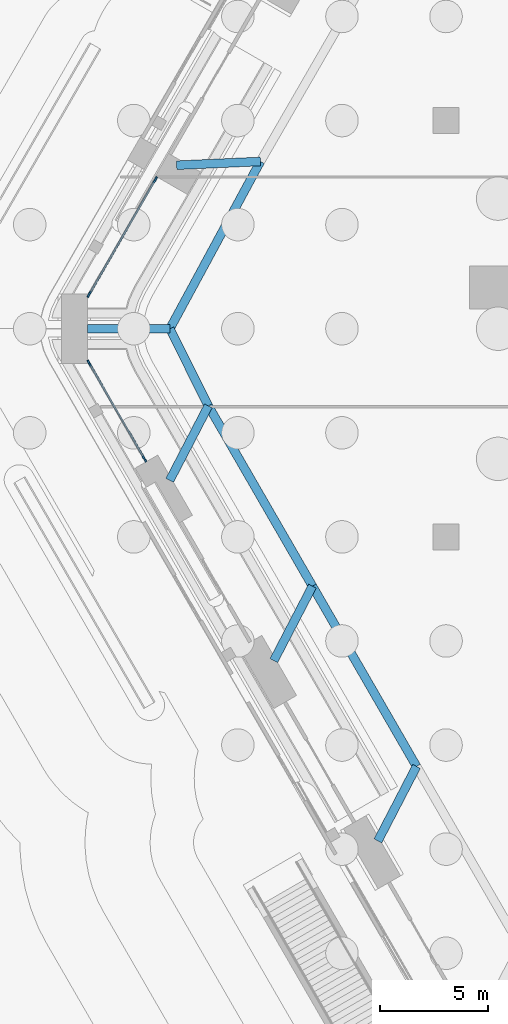
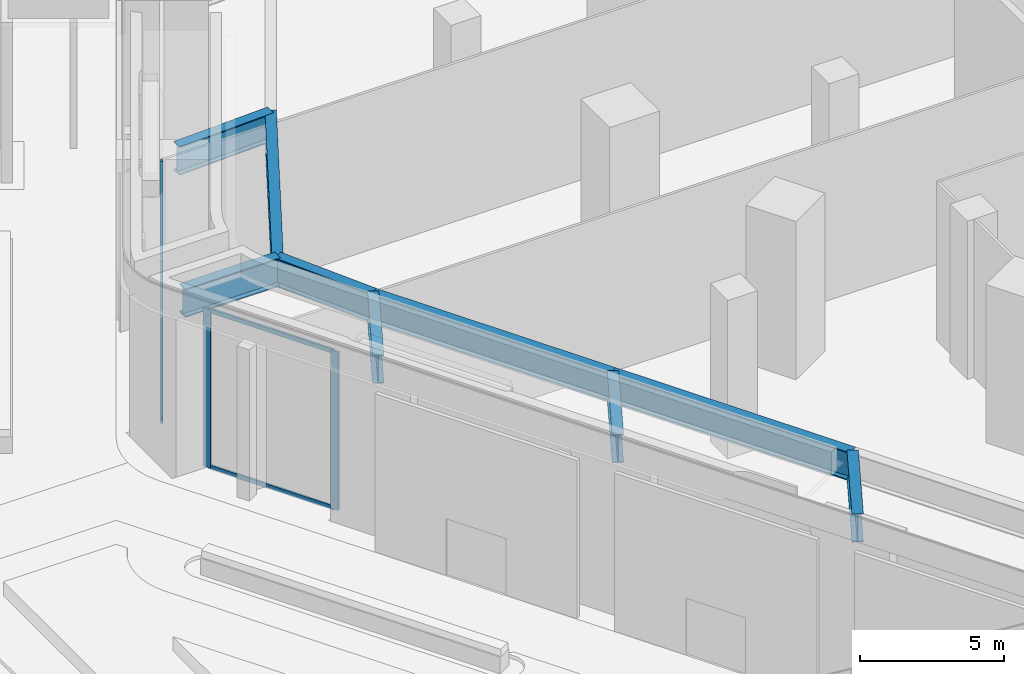
# One storey, part 4 of 68: 9 beams, 8 members, 2 elements without a shape of their own.
"""IFC4 building model written with IfcOpenShell, lengths in metres."""

from ifc_helpers import new_model, si_unit, direction, frame, origin, origin_2d, place, context, subcontext, project, spatial, rectangle, i_section, extrude, material, material_profile, profile_set, type_object, element, aggregate, save


model = new_model("IFC4")

# Units and contexts
model_context = context("Model", 3, precision=1e-05, world=origin(), true_north=direction((0.0, 1.0)))
body_context = subcontext(model_context, "Body", "Model", "MODEL_VIEW")
ifc_project = project(units=[si_unit("LENGTHUNIT", "METRE"), si_unit("AREAUNIT", "SQUARE_METRE"), si_unit("VOLUMEUNIT", "CUBIC_METRE"), si_unit("PLANEANGLEUNIT", "RADIAN"), si_unit("MASSUNIT", "GRAM", prefix="KILO")], contexts=[model_context])

# Site, building, storey
site_placement = place(None, origin())
site = spatial("IfcSite", under=ifc_project, at=site_placement, CompositionType="ELEMENT")
building_placement = place(site_placement, origin())
building = spatial("IfcBuilding", under=site, at=building_placement, Name="Kolab Exchange Tower", CompositionType="ELEMENT")
storey_placement = place(building_placement, origin())
storey = spatial("IfcBuildingStorey", under=building, at=storey_placement, Name="L00", CompositionType="ELEMENT", Elevation=0.0)

# Curtain wall, members
ifc_material_1 = material(Name="Aluminium EN AW-6063 T6", Category="aluminium")
curtain_wall_type = type_object("IfcCurtainWallType", Name="PODIUM STRUCTURAL GLAZING CURTAIN WALL", PredefinedType="NOTDEFINED", material=ifc_material_1)
curtain_wall_1_placement = place(storey_placement, origin())
curtain_wall_1 = element("IfcCurtainWall", 1, at=curtain_wall_1_placement, inside=storey, type_object=curtain_wall_type, Name="cw/L00/F5-2", PredefinedType="NOTDEFINED")
ifc_material_profile_1 = material_profile(ifc_material_1, rectangle(XDim=0.080078125, YDim=0.300048828125, at=origin_2d()), Name="RECT 80X300")
ifc_profile_set_1 = profile_set([ifc_material_profile_1], Name="Aluminium EN AW-6063 T6")
member_type_1 = type_object("IfcMemberType", Name="PODIUM STRUCTURAL GLAZING MULLION 80 X 300", PredefinedType="MULLION", material=ifc_profile_set_1)
member_1_placement = place(storey_placement, frame((-52.306640625, -6.00830078125, 0.0), z_axis=(0.0, 0.0, 1.0), x_axis=(-0.866025433568, -0.499999948413, 0.0)))
member_1 = element("IfcMember", 2, at=member_1_placement, type_object=member_type_1, Name="CW5 mullion 1", PredefinedType="MULLION", context=body_context, shape_type="SweptSolid", body=[
    extrude(rectangle(XDim=0.080078125, YDim=0.300048828125, at=origin_2d()), origin(), (0.0, 0.0, 1.0), 6.699951171875),
])
member_2_placement = place(storey_placement, frame((-54.86083984375, -1.584228515625, 0.0), z_axis=(0.0, 0.0, 1.0), x_axis=(-0.866025433568, -0.499999948413, 0.0)))
member_2 = element("IfcMember", 3, at=member_2_placement, type_object=member_type_1, Name="CW5 mullion 2", PredefinedType="MULLION", context=body_context, shape_type="SweptSolid", body=[
    extrude(rectangle(XDim=0.080078125, YDim=0.300048828125, at=origin_2d()), origin(), (0.0, 0.0, 1.0), 6.699951171875),
])

curtain_wall_2_placement = place(storey_placement, origin())
curtain_wall_2 = element("IfcCurtainWall", 4, at=curtain_wall_2_placement, inside=storey, type_object=curtain_wall_type, Name="cw/L00/F6-1", PredefinedType="NOTDEFINED")
member_3_placement = place(storey_placement, frame((-54.86083984375, 1.584228515625, 0.0), z_axis=(0.0, 0.0, 1.0), x_axis=(-0.866025452837, 0.499999915039, 0.0)))
member_3 = element("IfcMember", 5, at=member_3_placement, type_object=member_type_1, Name="CW5 mullion 1", PredefinedType="MULLION", context=body_context, shape_type="SweptSolid", body=[
    extrude(rectangle(XDim=0.080078125, YDim=0.300048828125, at=origin_2d()), origin(), (0.0, 0.0, 1.0), 6.699951171875),
])
member_4_placement = place(storey_placement, frame((-51.806640625, 6.874267578125, 0.0), z_axis=(0.0, 0.0, 1.0), x_axis=(-0.866025452837, 0.499999915039, 0.0)))
member_4 = element("IfcMember", 6, at=member_4_placement, type_object=member_type_1, Name="CW5 mullion 2", PredefinedType="MULLION", context=body_context, shape_type="SweptSolid", body=[
    extrude(rectangle(XDim=0.080078125, YDim=0.300048828125, at=origin_2d()), origin(), (0.0, 0.0, 1.0), 6.699951171875),
])

# Member
ifc_material_profile_2 = material_profile(ifc_material_1, rectangle(XDim=0.080078125, YDim=0.179931640625, at=origin_2d()), Name="RECT 80X180")
ifc_profile_set_2 = profile_set([ifc_material_profile_2], Name="Aluminium EN AW-6063 T6")
member_type_2 = type_object("IfcMemberType", Name="PODIUM STRUCTURAL GLAZING TRANSOM 80 X 180", PredefinedType="USERDEFINED", material=ifc_profile_set_2)
member_5_placement = place(storey_placement, frame((-52.32666015625, -5.9736328125, 0.0400390625), z_axis=(-0.49999283541, 0.866029540223, 0.0), x_axis=(-0.866029540223, -0.49999283541, 0.0)))
member_5 = element("IfcMember", 7, at=member_5_placement, type_object=member_type_2, Name="CW5 transom 1.1", ObjectType="TRANSOM", PredefinedType="USERDEFINED", context=body_context, shape_type="SweptSolid", body=[
    extrude(rectangle(XDim=0.080078125, YDim=0.179931640625, at=origin_2d()), origin(), (0.0, 0.0, 1.0), 5.0283203125),
])

member_6_placement = place(storey_placement, frame((-52.32666015625, -5.9736328125, 6.659912109375), z_axis=(-0.49999283541, 0.866029540223, 0.0), x_axis=(-0.866029540223, -0.49999283541, 0.0)))
member_6 = element("IfcMember", 8, at=member_6_placement, type_object=member_type_2, Name="CW5 transom 1.2", ObjectType="TRANSOM", PredefinedType="USERDEFINED", context=body_context, shape_type="SweptSolid", body=[
    extrude(rectangle(XDim=0.080078125, YDim=0.179931640625, at=origin_2d()), origin(), (0.0, 0.0, 1.0), 5.0283203125),
])

aggregate(curtain_wall_1, [member_1, member_2, member_5, member_6])

member_7_placement = place(storey_placement, frame((-54.8408203125, 1.618896484375, 0.0400390625), z_axis=(0.499998233552, 0.866026423641, 0.0), x_axis=(-0.866026423641, 0.499998233552, 0.0)))
member_7 = element("IfcMember", 9, at=member_7_placement, type_object=member_type_2, Name="CW5 transom 1.1", ObjectType="TRANSOM", PredefinedType="USERDEFINED", context=body_context, shape_type="SweptSolid", body=[
    extrude(rectangle(XDim=0.080078125, YDim=0.179931640625, at=origin_2d()), origin(), (0.0, 0.0, 1.0), 6.0283203125),
])

member_8_placement = place(storey_placement, frame((-54.8408203125, 1.618896484375, 6.659912109375), z_axis=(0.499998233552, 0.866026423641, 0.0), x_axis=(-0.866026423641, 0.499998233552, 0.0)))
member_8 = element("IfcMember", 10, at=member_8_placement, type_object=member_type_2, Name="CW5 transom 1.2", ObjectType="TRANSOM", PredefinedType="USERDEFINED", context=body_context, shape_type="SweptSolid", body=[
    extrude(rectangle(XDim=0.080078125, YDim=0.179931640625, at=origin_2d()), origin(), (0.0, 0.0, 1.0), 6.0283203125),
])

aggregate(curtain_wall_2, [member_3, member_4, member_7, member_8])

# Beams
ifc_material_2 = material(Name="Steel S355", Category="steel")
ifc_material_profile_3 = material_profile(ifc_material_2, i_section(OverallWidth=0.39990234375, OverallDepth=1.199951171875, WebThickness=0.02490234375, FlangeThickness=0.0400390625, at=origin_2d()), Name="PG1200X400")
ifc_profile_set_3 = profile_set([ifc_material_profile_3], Name="Steel S355")
beam_type = type_object("IfcBeamType", Name="TRANSFER GIRDER PG1200X400", PredefinedType="BEAM", material=ifc_profile_set_3)
beam_1_placement = place(storey_placement, frame((-39.7607421875, -20.1845703125, 6.10009765625), z_axis=(-0.460619274945, -0.887597816327, 0.0), x_axis=(0.887597816327, -0.460619274945, 0.0)))
element("IfcBeam", 11, at=beam_1_placement, inside=storey, type_object=beam_type, Name="beam/L00/tg/P1-F5-07", PredefinedType="BEAM", context=body_context, shape_type="SweptSolid", body=[
    extrude(i_section(OverallWidth=0.39990234375, OverallDepth=1.199951171875, WebThickness=0.02490234375, FlangeThickness=0.0400390625, at=origin_2d()), origin(), (0.0, 0.0, 1.0), 3.8681640625),
])
beam_2_placement = place(storey_placement, frame((-44.560791015625, -11.870849609375, 6.10009765625), z_axis=(-0.460645080764, -0.88758442391, 0.0), x_axis=(0.88758442391, -0.460645080764, 0.0)))
element("IfcBeam", 12, at=beam_2_placement, inside=storey, type_object=beam_type, Name="beam/L00/tg/P1-F5-09", PredefinedType="BEAM", context=body_context, shape_type="SweptSolid", body=[
    extrude(i_section(OverallWidth=0.39990234375, OverallDepth=1.199951171875, WebThickness=0.02490234375, FlangeThickness=0.0400390625, at=origin_2d()), origin(), (0.0, 0.0, 1.0), 3.867919921875),
])
beam_3_placement = place(storey_placement, frame((-49.36083984375, -3.556884765625, 6.10009765625), z_axis=(-0.460619274945, -0.887597816327, 0.0), x_axis=(0.887597816327, -0.460619274945, 0.0)))
element("IfcBeam", 13, at=beam_3_placement, inside=storey, type_object=beam_type, Name="beam/L00/tg/P1-F5-11", PredefinedType="BEAM", context=body_context, shape_type="SweptSolid", body=[
    extrude(i_section(OverallWidth=0.39990234375, OverallDepth=1.199951171875, WebThickness=0.02490234375, FlangeThickness=0.0400390625, at=origin_2d()), origin(), (0.0, 0.0, 1.0), 3.8681640625),
])
beam_4_placement = place(storey_placement, frame((-51.135986328125, 0.0, 6.10009765625), z_axis=(-1.0, 0.0, 0.0), x_axis=(0.0, -1.0, 0.0)))
element("IfcBeam", 14, at=beam_4_placement, inside=storey, type_object=beam_type, Name="beam/L00/tg/P1-F6-01", PredefinedType="BEAM", context=body_context, shape_type="SweptSolid", body=[
    extrude(i_section(OverallWidth=0.39990234375, OverallDepth=1.199951171875, WebThickness=0.02490234375, FlangeThickness=0.0400390625, at=origin_2d()), origin(), (0.0, 0.0, 1.0), 3.809814453125),
])
beam_5_placement = place(storey_placement, frame((-46.960693359375, 7.7138671875, 6.10009765625), z_axis=(-0.99899260341, -0.044875141586, 0.0), x_axis=(0.044875141586, -0.99899260341, 0.0)))
element("IfcBeam", 15, at=beam_5_placement, inside=storey, type_object=beam_type, Name="beam/L00/tg/P1-F6-03", PredefinedType="BEAM", context=body_context, shape_type="SweptSolid", body=[
    extrude(i_section(OverallWidth=0.39990234375, OverallDepth=1.199951171875, WebThickness=0.02490234375, FlangeThickness=0.0400390625, at=origin_2d()), origin(), (0.0, 0.0, 1.0), 3.8681640625),
])
beam_6_placement = place(storey_placement, frame((-39.7607421875, -20.1845703125, 6.10009765625), z_axis=(-0.500009370536, 0.866019993635, 0.0), x_axis=(-0.866019993635, -0.500009370536, 0.0)))
element("IfcBeam", 16, at=beam_6_placement, inside=storey, type_object=beam_type, Name="beam/L00/rg/P1-F5-07", PredefinedType="BEAM", context=body_context, shape_type="SweptSolid", body=[
    extrude(i_section(OverallWidth=0.39990234375, OverallDepth=1.199951171875, WebThickness=0.02490234375, FlangeThickness=0.0400390625, at=origin_2d()), origin(), (0.0, 0.0, 1.0), 9.599853515625),
])
beam_7_placement = place(storey_placement, frame((-44.560791015625, -11.870849609375, 6.10009765625), z_axis=(-0.499998358424, 0.866026351547, 0.0), x_axis=(-0.866026351547, -0.499998358424, 0.0)))
element("IfcBeam", 17, at=beam_7_placement, inside=storey, type_object=beam_type, Name="beam/L00/rg/P1-F5-09", PredefinedType="BEAM", context=body_context, shape_type="SweptSolid", body=[
    extrude(i_section(OverallWidth=0.39990234375, OverallDepth=1.199951171875, WebThickness=0.02490234375, FlangeThickness=0.0400390625, at=origin_2d()), origin(), (0.0, 0.0, 1.0), 9.60009765625),
])
beam_8_placement = place(storey_placement, frame((-49.36083984375, -3.556884765625, 6.10009765625), z_axis=(-0.446550187972, 0.894758587342, 0.0), x_axis=(-0.894758587342, -0.446550187972, 0.0)))
element("IfcBeam", 18, at=beam_8_placement, inside=storey, type_object=beam_type, Name="beam/L00/rg/P1-F5-11", PredefinedType="BEAM", context=body_context, shape_type="SweptSolid", body=[
    extrude(i_section(OverallWidth=0.39990234375, OverallDepth=1.199951171875, WebThickness=0.02490234375, FlangeThickness=0.0400390625, at=origin_2d()), origin(), (0.0, 0.0, 1.0), 3.975341796875),
])
beam_9_placement = place(storey_placement, frame((-51.135986328125, 0.0, 6.10009765625), z_axis=(0.476014128183, 0.879437632678, 0.0), x_axis=(-0.879437632678, 0.476014128183, 0.0)))
element("IfcBeam", 19, at=beam_9_placement, inside=storey, type_object=beam_type, Name="beam/L00/rg/P1-F6-01", PredefinedType="BEAM", context=body_context, shape_type="SweptSolid", body=[
    extrude(i_section(OverallWidth=0.39990234375, OverallDepth=1.199951171875, WebThickness=0.02490234375, FlangeThickness=0.0400390625, at=origin_2d()), origin(), (0.0, 0.0, 1.0), 8.771484375),
])

save(model, "model.ifc")
